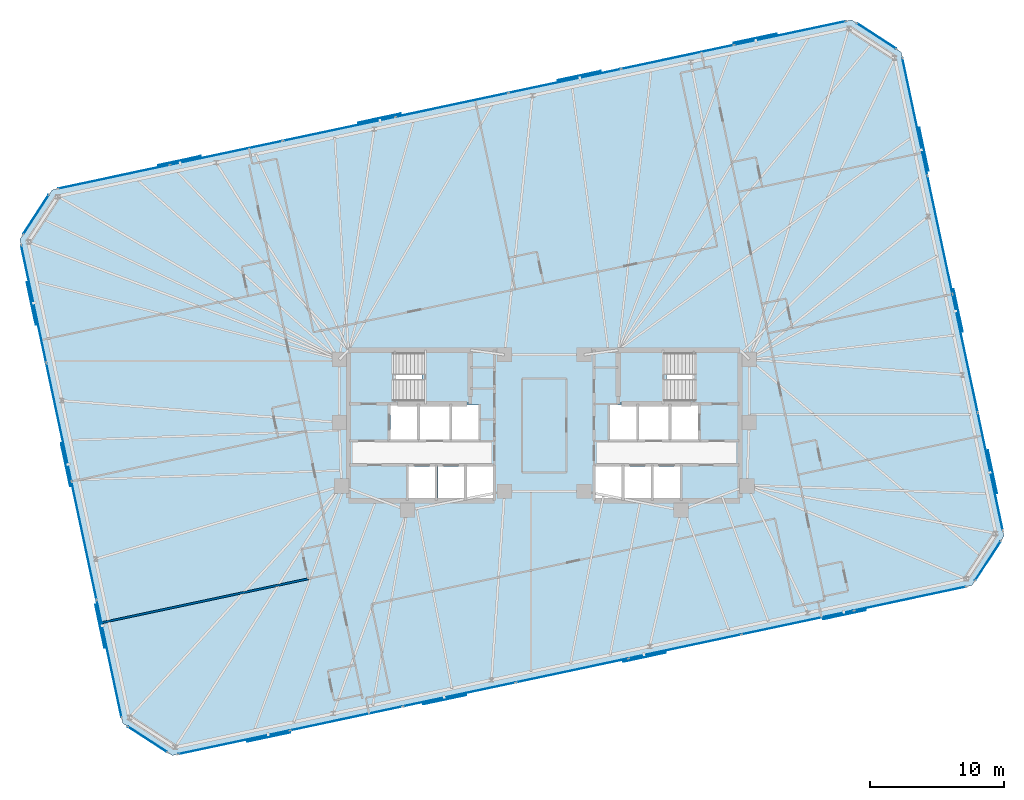
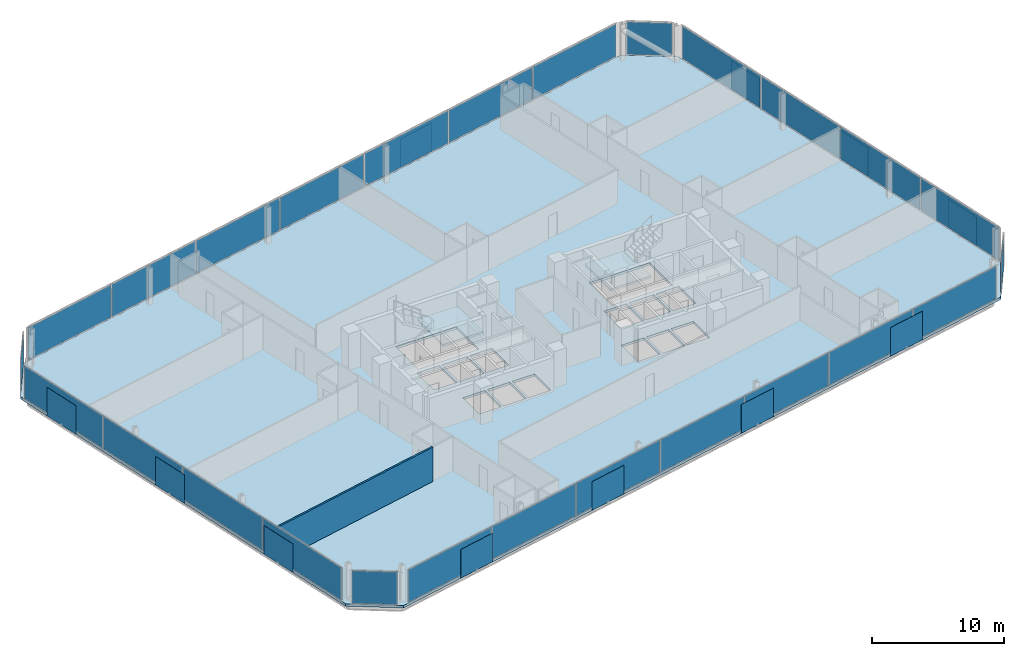
# One storey, part 13 of 19: 40 plates, 3 slabs, 1 wall, 10 elements without a shape of their own.
"""IFC4 building model written with IfcOpenShell, lengths in metres."""

from ifc_helpers import new_model, si_unit, direction, frame, frame_2d, origin, origin_2d, place, context, subcontext, project, spatial, polyline, rectangle, outline, extrude, material, layer, layer_set, type_object, element, aggregate, save


model = new_model("IFC4")

# Units and contexts
model_context = context("Model", 3, precision=1e-05, world=origin(), true_north=direction((0.0, 1.0)))
body_context = subcontext(model_context, "Body", "Model", "MODEL_VIEW")
ifc_project = project(units=[si_unit("LENGTHUNIT", "METRE"), si_unit("AREAUNIT", "SQUARE_METRE"), si_unit("VOLUMEUNIT", "CUBIC_METRE"), si_unit("PLANEANGLEUNIT", "RADIAN"), si_unit("MASSUNIT", "GRAM", prefix="KILO")], contexts=[model_context])

# Site, building, storey
site_placement = place(None, origin())
site = spatial("IfcSite", under=ifc_project, at=site_placement, CompositionType="ELEMENT")
building_placement = place(site_placement, origin())
building = spatial("IfcBuilding", under=site, at=building_placement, Name="Menara Jurai Vektor", CompositionType="ELEMENT")
storey_placement = place(building_placement, frame((0.0, 0.0, 151.39990234375)))
storey = spatial("IfcBuildingStorey", under=building, at=storey_placement, Name="L38", CompositionType="ELEMENT", Elevation=151.39990234375)

# Curtain wall, plates
ifc_material_1 = material(Name="Anodised Pale Aluminium & Low-E Double Glazing", Category="aluminium")
curtain_wall_type = type_object("IfcCurtainWallType", Name="CW-BLK3", PredefinedType="NOTDEFINED", material=ifc_material_1)
curtain_wall_1_placement = place(storey_placement, origin())
curtain_wall_1 = element("IfcCurtainWall", 1, at=curtain_wall_1_placement, inside=storey, type_object=curtain_wall_type, Name="Unitised Curtain Wall L38 F01", PredefinedType="NOTDEFINED")
ifc_material_2 = material(Name="Low-E Solar-Control Double Glazed Unit", Category="glass")
ifc_layer_1 = layer(ifc_material_2, 0.031982421875)
ifc_layer_set_1 = layer_set([ifc_layer_1], Name="Low-E Solar-Control Double Glazed Unit")
plate_type_1 = type_object("IfcPlateType", Name="CW-BLK3-PNL", PredefinedType="CURTAIN_PANEL", material=ifc_layer_set_1)
plate_1_placement = place(storey_placement, frame((-23.078369140625, -23.57568359375, 0.085205078125), z_axis=(0.0, 0.0, 1.0), x_axis=(0.978147674419, 0.207911344156, 0.0)))
plate_1 = element("IfcPlate", 2, at=plate_1_placement, type_object=plate_type_1, Name="CW-03 panel 1.1", PredefinedType="CURTAIN_PANEL", context=body_context, shape_type="SweptSolid", body=[
    extrude(rectangle(XDim=8.44970703125, YDim=0.031982421875, at=origin_2d()), origin(), (0.0, 0.0, 1.0), 3.0048828125),
])
plate_2_placement = place(storey_placement, frame((-14.709228515625, -21.796875, 0.085205078125), z_axis=(0.0, 0.0, 1.0), x_axis=(0.978147674419, 0.207911344156, 0.0)))
plate_2 = element("IfcPlate", 3, at=plate_2_placement, type_object=plate_type_1, Name="CW-03 panel 2.1", PredefinedType="CURTAIN_PANEL", context=body_context, shape_type="SweptSolid", body=[
    extrude(rectangle(XDim=8.4921875, YDim=0.031982421875, at=origin_2d()), origin(), (0.0, 0.0, 1.0), 3.0048828125),
])
plate_3_placement = place(storey_placement, frame((-6.319580078125, -20.013427734375, 0.085205078125), z_axis=(0.0, 0.0, 1.0), x_axis=(0.978147674419, 0.207911344156, 0.0)))
plate_3 = element("IfcPlate", 4, at=plate_3_placement, type_object=plate_type_1, Name="CW-03 panel 3.1", PredefinedType="CURTAIN_PANEL", context=body_context, shape_type="SweptSolid", body=[
    extrude(rectangle(XDim=8.4921875, YDim=0.031982421875, at=origin_2d()), origin(), (0.0, 0.0, 1.0), 3.0048828125),
])
plate_4_placement = place(storey_placement, frame((2.070068359375, -18.230224609375, 0.085205078125), z_axis=(0.0, 0.0, 1.0), x_axis=(0.978147674419, 0.207911344156, 0.0)))
plate_4 = element("IfcPlate", 5, at=plate_4_placement, type_object=plate_type_1, Name="CW-03 panel 4.1", PredefinedType="CURTAIN_PANEL", context=body_context, shape_type="SweptSolid", body=[
    extrude(rectangle(XDim=8.4921875, YDim=0.031982421875, at=origin_2d()), origin(), (0.0, 0.0, 1.0), 3.0048828125),
])
plate_5_placement = place(storey_placement, frame((10.459716796875, -16.447021484375, 0.085205078125), z_axis=(0.0, 0.0, 1.0), x_axis=(0.978147674419, 0.207911344156, 0.0)))
plate_5 = element("IfcPlate", 6, at=plate_5_placement, type_object=plate_type_1, Name="CW-03 panel 5.1", PredefinedType="CURTAIN_PANEL", context=body_context, shape_type="SweptSolid", body=[
    extrude(rectangle(XDim=8.4921875, YDim=0.031982421875, at=origin_2d()), origin(), (0.0, 0.0, 1.0), 3.0048828125),
])
plate_6_placement = place(storey_placement, frame((18.849609375, -14.66357421875, 0.085205078125), z_axis=(0.0, 0.0, 1.0), x_axis=(0.978147674419, 0.207911344156, 0.0)))
plate_6 = element("IfcPlate", 7, at=plate_6_placement, type_object=plate_type_1, Name="CW-03 panel 6.1", PredefinedType="CURTAIN_PANEL", context=body_context, shape_type="SweptSolid", body=[
    extrude(rectangle(XDim=8.4921875, YDim=0.031982421875, at=origin_2d()), origin(), (0.0, 0.0, 1.0), 3.0048828125),
])
plate_7_placement = place(storey_placement, frame((27.218505859375, -12.884765625, 0.085205078125), z_axis=(0.0, 0.0, 1.0), x_axis=(0.978147674419, 0.207911344156, 0.0)))
plate_7 = element("IfcPlate", 8, at=plate_7_placement, type_object=plate_type_1, Name="CW-03 panel 7.1", PredefinedType="CURTAIN_PANEL", context=body_context, shape_type="SweptSolid", body=[
    extrude(rectangle(XDim=8.44970703125, YDim=0.031982421875, at=origin_2d()), origin(), (0.0, 0.0, 1.0), 3.0048828125),
])
aggregate(curtain_wall_1, [plate_1, plate_2, plate_3, plate_4, plate_5, plate_6, plate_7])

curtain_wall_2_placement = place(storey_placement, origin())
curtain_wall_2 = element("IfcCurtainWall", 9, at=curtain_wall_2_placement, inside=storey, type_object=curtain_wall_type, Name="Unitised Curtain Wall L38 F03", PredefinedType="NOTDEFINED")
plate_8_placement = place(storey_placement, frame((33.17333984375, -3.433837890625, 0.085205078125), z_axis=(0.0, 0.0, 1.0), x_axis=(-0.20791035839, 0.978147883949, 0.0)))
plate_8 = element("IfcPlate", 10, at=plate_8_placement, type_object=plate_type_1, Name="CW-03 panel 1.1", PredefinedType="CURTAIN_PANEL", context=body_context, shape_type="SweptSolid", body=[
    extrude(rectangle(XDim=8.882568359375, YDim=0.031982421875, at=origin_2d()), origin(), (0.0, 0.0, 1.0), 3.0048828125),
])
plate_9_placement = place(storey_placement, frame((31.3046875, 5.3583984375, 0.085205078125), z_axis=(0.0, 0.0, 1.0), x_axis=(-0.20791035839, 0.978147883949, 0.0)))
plate_9 = element("IfcPlate", 11, at=plate_9_placement, type_object=plate_type_1, Name="CW-03 panel 2.1", PredefinedType="CURTAIN_PANEL", context=body_context, shape_type="SweptSolid", body=[
    extrude(rectangle(XDim=8.925048828125, YDim=0.031982421875, at=origin_2d()), origin(), (0.0, 0.0, 1.0), 3.0048828125),
])
plate_10_placement = place(storey_placement, frame((29.431396484375, 14.171630859375, 0.085205078125), z_axis=(0.0, 0.0, 1.0), x_axis=(-0.20791035839, 0.978147883949, 0.0)))
plate_10 = element("IfcPlate", 12, at=plate_10_placement, type_object=plate_type_1, Name="CW-03 panel 3.1", PredefinedType="CURTAIN_PANEL", context=body_context, shape_type="SweptSolid", body=[
    extrude(rectangle(XDim=8.925048828125, YDim=0.031982421875, at=origin_2d()), origin(), (0.0, 0.0, 1.0), 3.0048828125),
])
plate_11_placement = place(storey_placement, frame((27.5625, 22.9638671875, 0.085205078125), z_axis=(0.0, 0.0, 1.0), x_axis=(-0.20791035839, 0.978147883949, 0.0)))
plate_11 = element("IfcPlate", 13, at=plate_11_placement, type_object=plate_type_1, Name="CW-03 panel 4.1", PredefinedType="CURTAIN_PANEL", context=body_context, shape_type="SweptSolid", body=[
    extrude(rectangle(XDim=8.882568359375, YDim=0.031982421875, at=origin_2d()), origin(), (0.0, 0.0, 1.0), 3.0048828125),
])
aggregate(curtain_wall_2, [plate_8, plate_9, plate_10, plate_11])

curtain_wall_3_placement = place(storey_placement, origin())
curtain_wall_3 = element("IfcCurtainWall", 14, at=curtain_wall_3_placement, inside=storey, type_object=curtain_wall_type, Name="Unitised Curtain Wall L38 F05", PredefinedType="NOTDEFINED")
plate_12_placement = place(storey_placement, frame((18.2783203125, 29.175537109375, 0.085205078125), z_axis=(0.0, 0.0, 1.0), x_axis=(-0.978147674419, -0.207911344156, 0.0)))
plate_12 = element("IfcPlate", 15, at=plate_12_placement, type_object=plate_type_1, Name="CW-03 panel 1.1", PredefinedType="CURTAIN_PANEL", context=body_context, shape_type="SweptSolid", body=[
    extrude(rectangle(XDim=8.44970703125, YDim=0.031982421875, at=origin_2d()), origin(), (0.0, 0.0, 1.0), 3.0048828125),
])
plate_13_placement = place(storey_placement, frame((9.909423828125, 27.396728515625, 0.085205078125), z_axis=(0.0, 0.0, 1.0), x_axis=(-0.978147674419, -0.207911344156, 0.0)))
plate_13 = element("IfcPlate", 16, at=plate_13_placement, type_object=plate_type_1, Name="CW-03 panel 2.1", PredefinedType="CURTAIN_PANEL", context=body_context, shape_type="SweptSolid", body=[
    extrude(rectangle(XDim=8.4921875, YDim=0.031982421875, at=origin_2d()), origin(), (0.0, 0.0, 1.0), 3.0048828125),
])
plate_14_placement = place(storey_placement, frame((1.51953125, 25.613525390625, 0.085205078125), z_axis=(0.0, 0.0, 1.0), x_axis=(-0.978147674419, -0.207911344156, 0.0)))
plate_14 = element("IfcPlate", 17, at=plate_14_placement, type_object=plate_type_1, Name="CW-03 panel 3.1", PredefinedType="CURTAIN_PANEL", context=body_context, shape_type="SweptSolid", body=[
    extrude(rectangle(XDim=8.4921875, YDim=0.031982421875, at=origin_2d()), origin(), (0.0, 0.0, 1.0), 3.0048828125),
])
plate_15_placement = place(storey_placement, frame((-6.8701171875, 23.830078125, 0.085205078125), z_axis=(0.0, 0.0, 1.0), x_axis=(-0.978147674419, -0.207911344156, 0.0)))
plate_15 = element("IfcPlate", 18, at=plate_15_placement, type_object=plate_type_1, Name="CW-03 panel 4.1", PredefinedType="CURTAIN_PANEL", context=body_context, shape_type="SweptSolid", body=[
    extrude(rectangle(XDim=8.4921875, YDim=0.031982421875, at=origin_2d()), origin(), (0.0, 0.0, 1.0), 3.0048828125),
])
plate_16_placement = place(storey_placement, frame((-15.259765625, 22.046875, 0.085205078125), z_axis=(0.0, 0.0, 1.0), x_axis=(-0.978147674419, -0.207911344156, 0.0)))
plate_16 = element("IfcPlate", 19, at=plate_16_placement, type_object=plate_type_1, Name="CW-03 panel 5.1", PredefinedType="CURTAIN_PANEL", context=body_context, shape_type="SweptSolid", body=[
    extrude(rectangle(XDim=8.4921875, YDim=0.031982421875, at=origin_2d()), origin(), (0.0, 0.0, 1.0), 3.0048828125),
])
plate_17_placement = place(storey_placement, frame((-23.6494140625, 20.263671875, 0.085205078125), z_axis=(0.0, 0.0, 1.0), x_axis=(-0.978147674419, -0.207911344156, 0.0)))
plate_17 = element("IfcPlate", 20, at=plate_17_placement, type_object=plate_type_1, Name="CW-03 panel 6.1", PredefinedType="CURTAIN_PANEL", context=body_context, shape_type="SweptSolid", body=[
    extrude(rectangle(XDim=8.4921875, YDim=0.031982421875, at=origin_2d()), origin(), (0.0, 0.0, 1.0), 3.0048828125),
])
plate_18_placement = place(storey_placement, frame((-32.0185546875, 18.48486328125, 0.085205078125), z_axis=(0.0, 0.0, 1.0), x_axis=(-0.978147674419, -0.207911344156, 0.0)))
plate_18 = element("IfcPlate", 21, at=plate_18_placement, type_object=plate_type_1, Name="CW-03 panel 7.1", PredefinedType="CURTAIN_PANEL", context=body_context, shape_type="SweptSolid", body=[
    extrude(rectangle(XDim=8.44970703125, YDim=0.031982421875, at=origin_2d()), origin(), (0.0, 0.0, 1.0), 3.0048828125),
])
aggregate(curtain_wall_3, [plate_12, plate_13, plate_14, plate_15, plate_16, plate_17, plate_18])

curtain_wall_4_placement = place(storey_placement, origin())
curtain_wall_4 = element("IfcCurtainWall", 22, at=curtain_wall_4_placement, inside=storey, type_object=curtain_wall_type, Name="Unitised Curtain Wall L38 F07", PredefinedType="NOTDEFINED")
plate_19_placement = place(storey_placement, frame((-37.973388671875, 9.033935546875, 0.085205078125), z_axis=(0.0, 0.0, 1.0), x_axis=(0.20791035839, -0.978147883949, 0.0)))
plate_19 = element("IfcPlate", 23, at=plate_19_placement, type_object=plate_type_1, Name="CW-03 panel 1.1", PredefinedType="CURTAIN_PANEL", context=body_context, shape_type="SweptSolid", body=[
    extrude(rectangle(XDim=8.882568359375, YDim=0.031982421875, at=origin_2d()), origin(), (0.0, 0.0, 1.0), 3.0048828125),
])
plate_20_placement = place(storey_placement, frame((-36.1044921875, 0.241455078125, 0.085205078125), z_axis=(0.0, 0.0, 1.0), x_axis=(0.20791035839, -0.978147883949, 0.0)))
plate_20 = element("IfcPlate", 24, at=plate_20_placement, type_object=plate_type_1, Name="CW-03 panel 2.1", PredefinedType="CURTAIN_PANEL", context=body_context, shape_type="SweptSolid", body=[
    extrude(rectangle(XDim=8.925048828125, YDim=0.031982421875, at=origin_2d()), origin(), (0.0, 0.0, 1.0), 3.0048828125),
])
plate_21_placement = place(storey_placement, frame((-34.231201171875, -8.571533203125, 0.085205078125), z_axis=(0.0, 0.0, 1.0), x_axis=(0.20791035839, -0.978147883949, 0.0)))
plate_21 = element("IfcPlate", 25, at=plate_21_placement, type_object=plate_type_1, Name="CW-03 panel 3.1", PredefinedType="CURTAIN_PANEL", context=body_context, shape_type="SweptSolid", body=[
    extrude(rectangle(XDim=8.925048828125, YDim=0.031982421875, at=origin_2d()), origin(), (0.0, 0.0, 1.0), 3.0048828125),
])
plate_22_placement = place(storey_placement, frame((-32.362548828125, -17.364013671875, 0.085205078125), z_axis=(0.0, 0.0, 1.0), x_axis=(0.20791035839, -0.978147883949, 0.0)))
plate_22 = element("IfcPlate", 26, at=plate_22_placement, type_object=plate_type_1, Name="CW-03 panel 4.1", PredefinedType="CURTAIN_PANEL", context=body_context, shape_type="SweptSolid", body=[
    extrude(rectangle(XDim=8.882568359375, YDim=0.031982421875, at=origin_2d()), origin(), (0.0, 0.0, 1.0), 3.0048828125),
])
aggregate(curtain_wall_4, [plate_19, plate_20, plate_21, plate_22])

# Curtain wall, plate
curtain_wall_5_placement = place(storey_placement, origin())
curtain_wall_5 = element("IfcCurtainWall", 27, at=curtain_wall_5_placement, inside=storey, type_object=curtain_wall_type, Name="Unitised Curtain Wall L38 F02", PredefinedType="NOTDEFINED")
ifc_material_3 = material(Name="Insulated Pale Aluminium Spandrel Panel", Category="aluminium")
ifc_layer_2 = layer(ifc_material_3, 0.06005859375)
ifc_layer_set_2 = layer_set([ifc_layer_2], Name="Insulated Pale Aluminium Spandrel Panel")
plate_type_2 = type_object("IfcPlateType", Name="CW-PNL-SP", PredefinedType="CURTAIN_PANEL", material=ifc_layer_set_2)
plate_23_placement = place(storey_placement, frame((32.999755859375, -10.0712890625, 0.085205078125), z_axis=(0.0, 0.0, 1.0), x_axis=(0.544617794346, 0.838684361415, 0.0)))
plate_23 = element("IfcPlate", 28, at=plate_23_placement, type_object=plate_type_2, Name="CW-03 panel 1.1", PredefinedType="CURTAIN_PANEL", context=body_context, shape_type="SweptSolid", body=[
    extrude(rectangle(XDim=3.4541015625, YDim=0.06005859375, at=origin_2d()), origin(), (0.0, 0.0, 1.0), 3.0048828125),
])
aggregate(curtain_wall_5, [plate_23])

curtain_wall_6_placement = place(storey_placement, origin())
curtain_wall_6 = element("IfcCurtainWall", 29, at=curtain_wall_6_placement, inside=storey, type_object=curtain_wall_type, Name="Unitised Curtain Wall L38 F04", PredefinedType="NOTDEFINED")
plate_24_placement = place(storey_placement, frame((24.7041015625, 28.956787109375, 0.085205078125), z_axis=(0.0, 0.0, 1.0), x_axis=(-0.838684361415, 0.544617794346, 0.0)))
plate_24 = element("IfcPlate", 30, at=plate_24_placement, type_object=plate_type_2, Name="CW-03 panel 1.1", PredefinedType="CURTAIN_PANEL", context=body_context, shape_type="SweptSolid", body=[
    extrude(rectangle(XDim=3.4541015625, YDim=0.06005859375, at=origin_2d()), origin(), (0.0, 0.0, 1.0), 3.0048828125),
])
aggregate(curtain_wall_6, [plate_24])

curtain_wall_7_placement = place(storey_placement, origin())
curtain_wall_7 = element("IfcCurtainWall", 31, at=curtain_wall_7_placement, inside=storey, type_object=curtain_wall_type, Name="Unitised Curtain Wall L38 F06", PredefinedType="NOTDEFINED")
plate_25_placement = place(storey_placement, frame((-37.799560546875, 15.67138671875, 0.085205078125), z_axis=(0.0, 0.0, 1.0), x_axis=(-0.544617794346, -0.838684361415, 0.0)))
plate_25 = element("IfcPlate", 32, at=plate_25_placement, type_object=plate_type_2, Name="CW-03 panel 1.1", PredefinedType="CURTAIN_PANEL", context=body_context, shape_type="SweptSolid", body=[
    extrude(rectangle(XDim=3.4541015625, YDim=0.06005859375, at=origin_2d()), origin(), (0.0, 0.0, 1.0), 3.0048828125),
])
aggregate(curtain_wall_7, [plate_25])

curtain_wall_8_placement = place(storey_placement, origin())
curtain_wall_8 = element("IfcCurtainWall", 33, at=curtain_wall_8_placement, inside=storey, type_object=curtain_wall_type, Name="Unitised Curtain Wall L38 F08", PredefinedType="NOTDEFINED")
plate_26_placement = place(storey_placement, frame((-29.50390625, -23.35693359375, 0.085205078125), z_axis=(0.0, 0.0, 1.0), x_axis=(0.838684361415, -0.544617794346, 0.0)))
plate_26 = element("IfcPlate", 34, at=plate_26_placement, type_object=plate_type_2, Name="CW-03 panel 1.1", PredefinedType="CURTAIN_PANEL", context=body_context, shape_type="SweptSolid", body=[
    extrude(rectangle(XDim=3.4541015625, YDim=0.06005859375, at=origin_2d()), origin(), (0.0, 0.0, 1.0), 3.0048828125),
])
aggregate(curtain_wall_8, [plate_26])

# Plates
ifc_material_4 = material(Name="Anodised Pale Aluminium Perforated Screen", Category="aluminium")
ifc_layer_3 = layer(ifc_material_4, 0.02294921875)
ifc_layer_set_3 = layer_set([ifc_layer_3], Name="Anodised Pale Aluminium Perforated Screen")
plate_type_3 = type_object("IfcPlateType", Name="ENV-PLT-SCREEN-MID", PredefinedType="USERDEFINED", material=ifc_layer_set_3)
for number, where, z_axis, x_axis, name in (
    (35, (-20.495849609375, -23.190185546875, -0.0498046875), (0.0, 0.0, 1.0), (0.978147600734, 0.207911690818, 0.0), "Perforated Pale-Metal Solar Screen L38-S01"),
    (36, (-7.412109375, -20.4091796875, -0.0498046875), (0.0, 0.0, 1.0), (0.978147600734, 0.207911690818, 0.0), "Perforated Pale-Metal Solar Screen L38-S02"),
    (37, (7.455810546875, -17.2490234375, -0.0498046875), (0.0, 0.0, 1.0), (0.978147600734, 0.207911690818, 0.0), "Perforated Pale-Metal Solar Screen L38-S03"),
    (38, (22.323486328125, -14.0888671875, -0.0498046875), (0.0, 0.0, 1.0), (0.978147600734, 0.207911690818, 0.0), "Perforated Pale-Metal Solar Screen L38-S04"),
    (39, (33.342529296875, -3.460205078125, -0.0498046875), (0.0, 0.0, 1.0), (-0.207911690818, 0.978147600734, 0.0), "Perforated Pale-Metal Solar Screen L38-S05"),
    (40, (30.792236328125, 8.53857421875, -0.0498046875), (0.0, 0.0, 1.0), (-0.207911690818, 0.978147600734, 0.0), "Perforated Pale-Metal Solar Screen L38-S06"),
    (41, (28.241943359375, 20.537109375, -0.0498046875), (0.0, 0.0, 1.0), (-0.207911690818, 0.978147600734, 0.0), "Perforated Pale-Metal Solar Screen L38-S07"),
    (42, (15.69580078125, 28.790283203125, -0.0498046875), (0.0, 0.0, 1.0), (-0.978147600734, -0.207911690818, 0.0), "Perforated Pale-Metal Solar Screen L38-S08"),
    (43, (2.612060546875, 26.00927734375, -0.0498046875), (0.0, 0.0, 1.0), (-0.978147600734, -0.207911690818, 0.0), "Perforated Pale-Metal Solar Screen L38-S09"),
    (44, (-12.255859375, 22.84912109375, -0.0498046875), (0.0, 0.0, 1.0), (-0.978147600734, -0.207911690818, 0.0), "Perforated Pale-Metal Solar Screen L38-S10"),
    (45, (-27.12353515625, 19.688720703125, -0.0498046875), (0.0, 0.0, 1.0), (-0.978147600734, -0.207911690818, 0.0), "Perforated Pale-Metal Solar Screen L38-S11"),
    (46, (-38.142578125, 9.060302734375, -0.0498046875), (0.0, 0.0, 1.0), (0.207911690818, -0.978147600734, 0.0), "Perforated Pale-Metal Solar Screen L38-S12"),
    (47, (-35.59228515625, -2.9384765625, -0.0498046875), (0.0, 0.0, 1.0), (0.207911690818, -0.978147600734, 0.0), "Perforated Pale-Metal Solar Screen L38-S13"),
    (48, (-33.0419921875, -14.93701171875, -0.0498046875), (0.0, 0.0, 1.0), (0.207911690818, -0.978147600734, 0.0), "Perforated Pale-Metal Solar Screen L38-S14"),
):
    element("IfcPlate", number, at=place(storey_placement, frame(where, z_axis=z_axis, x_axis=x_axis)), inside=storey, type_object=plate_type_3, Name=name, ObjectType="SCREEN", PredefinedType="USERDEFINED", context=body_context, shape_type="SweptSolid", body=[
        extrude(rectangle(XDim=3.25, YDim=0.02294921875, at=origin_2d()), origin(), (0.0, 0.0, 1.0), 2.64990234375),
    ])

# Stair, slab
ifc_material_5 = material(Name="Concrete C40/50", Category="concrete")
stair_type = type_object("IfcStairType", Name="STAIR-DOGLEG-1500", PredefinedType="HALF_TURN_STAIR", material=ifc_material_5)
stair_1_placement = place(storey_placement, origin())
stair_1 = element("IfcStair", 49, at=stair_1_placement, inside=storey, type_object=stair_type, Name="Protected Exit Stair ST1 L38", PredefinedType="HALF_TURN_STAIR")
ifc_layer_4 = layer(ifc_material_5, 0.199951171875)
ifc_layer_set_4 = layer_set([ifc_layer_4], Name="Concrete C40/50")
slab_type_1 = type_object("IfcSlabType", Name="STAIR-LANDING-200", PredefinedType="LANDING", material=ifc_layer_set_4)
slab_1_placement = place(storey_placement, frame((0.0, 0.0, 1.5)))
slab_1 = element("IfcSlab", 50, at=slab_1_placement, type_object=slab_type_1, Name="ST1 landing 1", PredefinedType="LANDING", context=body_context, shape_type="SweptSolid", body=[
    extrude(outline(polyline([(-9.080078125, 1.64990234375), (-5.550048828125, 1.64990234375), (-5.550048828125, 5.550048828125), (-9.080078125, 5.550048828125), (-9.080078125, 1.64990234375)])), origin(), (0.0, 0.0, 1.0), 0.2001953125),
])
aggregate(stair_1, [slab_1])

stair_2_placement = place(storey_placement, origin())
stair_2 = element("IfcStair", 51, at=stair_2_placement, inside=storey, type_object=stair_type, Name="Protected Exit Stair ST2 L38", PredefinedType="HALF_TURN_STAIR")
slab_2_placement = place(storey_placement, frame((0.0, 0.0, 1.5)))
slab_2 = element("IfcSlab", 52, at=slab_2_placement, type_object=slab_type_1, Name="ST2 landing 1", PredefinedType="LANDING", context=body_context, shape_type="SweptSolid", body=[
    extrude(outline(polyline([(5.550048828125, 1.64990234375), (9.080078125, 1.64990234375), (9.080078125, 5.550048828125), (5.550048828125, 5.550048828125), (5.550048828125, 1.64990234375)])), origin(), (0.0, 0.0, 1.0), 0.2001953125),
])
aggregate(stair_2, [slab_2])

# Slab
ifc_layer_5 = layer(ifc_material_5, 0.22509765625)
ifc_layer_set_5 = layer_set([ifc_layer_5], Name="Concrete C40/50")
slab_type_2 = type_object("IfcSlabType", Name="STR-SLAB-TYP200", PredefinedType="FLOOR", material=ifc_layer_set_5)
slab_3_placement = place(storey_placement, frame((0.0, 0.0, -0.224853515625)))
element("IfcSlab", 53, at=slab_3_placement, inside=storey, type_object=slab_type_2, Name="Composite Floor Slab L38", PredefinedType="FLOOR", context=body_context, shape_type="SweptSolid", body=[
    extrude(outline(polyline([(-27.66552734375, -24.55078125), (31.805908203125, -11.90966796875), (34.193603515625, -8.23291015625), (26.54248046875, 27.762939453125), (22.865478515625, 30.150634765625), (-36.605712890625, 17.509765625), (-38.993408203125, 13.8330078125), (-31.34228515625, -22.1630859375), (-27.66552734375, -24.55078125)]), holes=[polyline([(-11.10009765625, 1.89990234375), (-11.10009765625, 5.300048828125), (-5.800048828125, 5.300048828125), (-5.800048828125, 1.89990234375), (-11.10009765625, 1.89990234375)]), polyline([(5.800048828125, 1.89990234375), (5.800048828125, 5.300048828125), (11.10009765625, 5.300048828125), (11.10009765625, 1.89990234375), (5.800048828125, 1.89990234375)]), polyline([(-11.449951171875, -1.050048828125), (-11.449951171875, 1.5), (-9.449951171875, 1.5), (-9.449951171875, -1.050048828125), (-11.449951171875, -1.050048828125)]), polyline([(9.449951171875, -1.050048828125), (9.449951171875, 1.5), (11.449951171875, 1.5), (11.449951171875, -1.050048828125), (9.449951171875, -1.050048828125)]), polyline([(-5.760009765625, -5.5), (-5.760009765625, -3.050048828125), (-3.800048828125, -3.050048828125), (-3.800048828125, -5.5), (-5.760009765625, -5.5)]), polyline([(-6.85009765625, -1.050048828125), (-6.85009765625, 1.5), (-4.889892578125, 1.5), (-4.889892578125, -1.050048828125), (-6.85009765625, -1.050048828125)]), polyline([(3.800048828125, -5.5), (3.800048828125, -3.050048828125), (5.760009765625, -3.050048828125), (5.760009765625, -5.5), (3.800048828125, -5.5)]), polyline([(4.889892578125, -1.050048828125), (4.889892578125, 1.5), (6.85009765625, 1.5), (6.85009765625, -1.050048828125), (4.889892578125, -1.050048828125)]), polyline([(-10.080078125, -5.5), (-10.080078125, -3.050048828125), (-8.1201171875, -3.050048828125), (-8.1201171875, -5.5), (-10.080078125, -5.5)]), polyline([(-7.919921875, -5.5), (-7.919921875, -3.050048828125), (-5.9599609375, -3.050048828125), (-5.9599609375, -5.5), (-7.919921875, -5.5)]), polyline([(5.9599609375, -5.5), (5.9599609375, -3.050048828125), (7.919921875, -3.050048828125), (7.919921875, -5.5), (5.9599609375, -5.5)]), polyline([(8.1201171875, -5.5), (8.1201171875, -3.050048828125), (10.080078125, -3.050048828125), (10.080078125, -5.5), (8.1201171875, -5.5)]), polyline([(-9.25, -1.050048828125), (-9.25, 1.5), (-7.050048828125, 1.5), (-7.050048828125, -1.050048828125), (-9.25, -1.050048828125)]), polyline([(7.050048828125, -1.050048828125), (7.050048828125, 1.5), (9.25, 1.5), (9.25, -1.050048828125), (7.050048828125, -1.050048828125)])]), origin(), (0.0, 0.0, 1.0), 0.224853515625),
])

# Wall
ifc_material_6 = material(Name="Gypsum Fireboard Partition", Category="gypsum")
ifc_layer_6 = layer(ifc_material_6, 0.14990234375)
ifc_layer_set_6 = layer_set([ifc_layer_6], Name="Gypsum Fireboard Partition")
wall_type = type_object("IfcWallType", Name="INT-WALL-CORR-150", PredefinedType="PARTITIONING", material=ifc_layer_set_6)
wall_placement = place(storey_placement, frame((-32.932861328125, -14.68017578125, 0.0), z_axis=(0.0, 0.0, 1.0), x_axis=(0.978146137903, 0.207918572776, 0.0)))
element("IfcWall", 54, at=wall_placement, inside=storey, type_object=wall_type, Name="Interior Wall IW-150 L38", PredefinedType="PARTITIONING", context=body_context, shape_type="SweptSolid", body=[
    extrude(rectangle(XDim=15.718017578125, YDim=0.14990234375, at=frame_2d((7.85888671875, 0.0))), origin(), (0.0, 0.0, 1.0), 3.175048828125),
])

save(model, "model.ifc")
